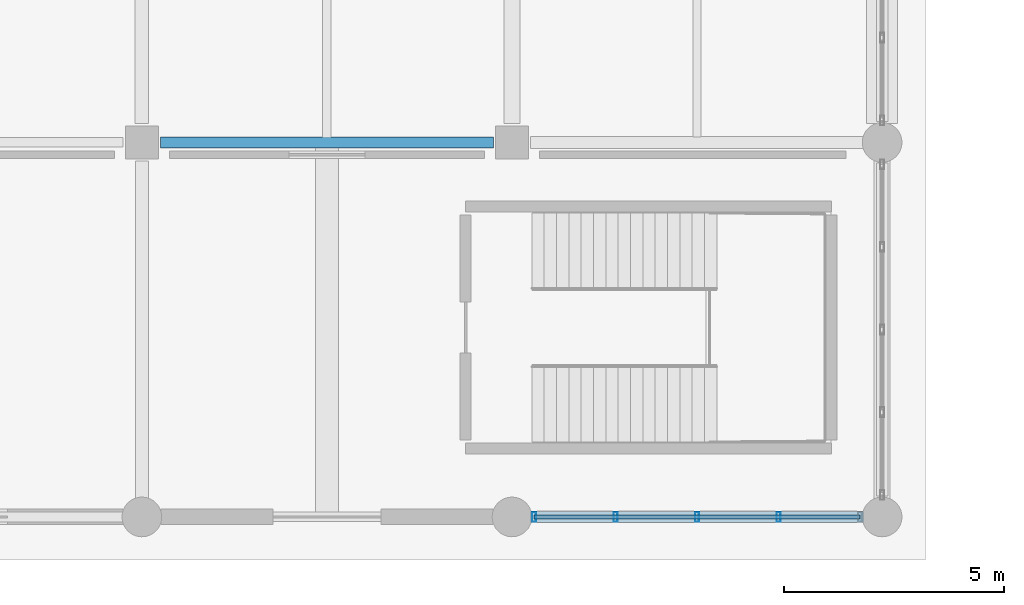
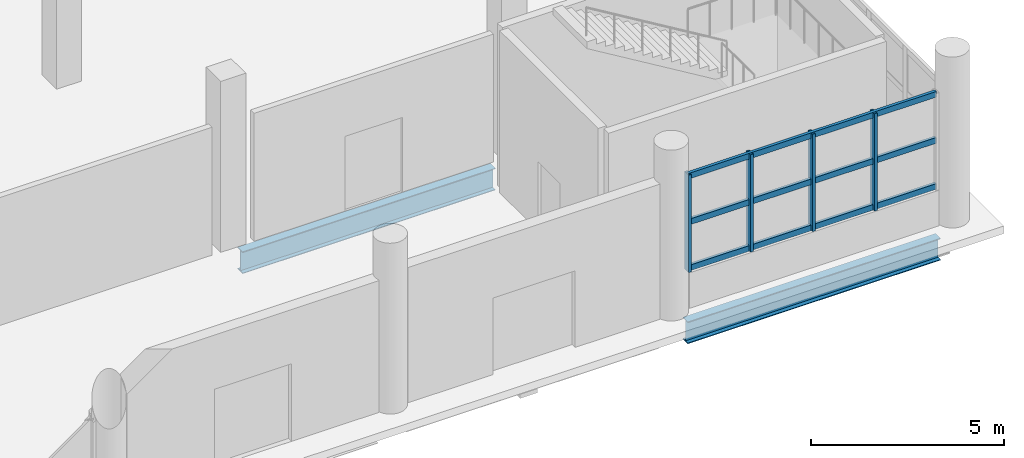
# One storey, part 55 of 107: 7 members, 2 beams, 1 element without a shape of its own.
"""IFC4 building model written with IfcOpenShell, lengths in metres."""

from ifc_helpers import new_model, si_unit, direction, frame, origin, origin_2d, place, context, subcontext, project, spatial, hollow_rectangle, i_section, extrude, material, material_profile, profile_set, type_object, element, aggregate, save


model = new_model("IFC4")

# Units and contexts
model_context = context("Model", 3, precision=1e-05, world=origin(), true_north=direction((0.0, 1.0)))
body_context = subcontext(model_context, "Body", "Model", "MODEL_VIEW")
ifc_project = project(units=[si_unit("LENGTHUNIT", "METRE"), si_unit("AREAUNIT", "SQUARE_METRE"), si_unit("VOLUMEUNIT", "CUBIC_METRE"), si_unit("PLANEANGLEUNIT", "RADIAN"), si_unit("MASSUNIT", "GRAM", prefix="KILO")], contexts=[model_context])

# Site, building, storey
site_placement = place(None, origin())
site = spatial("IfcSite", under=ifc_project, at=site_placement, CompositionType="ELEMENT")
building_placement = place(site_placement, origin())
building = spatial("IfcBuilding", under=site, at=building_placement, Name="Solvento Point Concert Hall", CompositionType="ELEMENT")
storey_placement = place(building_placement, origin())
storey = spatial("IfcBuildingStorey", under=building, at=storey_placement, Name="L00", CompositionType="ELEMENT", Elevation=0.0)

# Beams
ifc_material_1 = material(Name="Structural Steel ASTM A992 Grade 50", Category="steel")
ifc_material_profile_1 = material_profile(ifc_material_1, i_section(OverallWidth=0.256103515625, OverallDepth=0.693115234375, WebThickness=0.014404296875, FlangeThickness=0.023681640625, at=origin_2d()), Name="W27X114")
ifc_profile_set_1 = profile_set([ifc_material_profile_1], Name="Structural Steel ASTM A992 Grade 50")
beam_type = type_object("IfcBeamType", Name="Girder_W27X114", PredefinedType="USERDEFINED", material=ifc_profile_set_1)
for number, where, z_axis, x_axis, name in (
    (1, (200.823974609375, 0.0, -0.760498046875), (1.0, 0.0, 0.0), (0.0, 1.0, 0.0), "Primary girder B-23 L00"),
    (2, (192.424072265625, 8.5, -0.760498046875), (1.0, 0.0, 0.0), (0.0, 1.0, 0.0), "Primary girder B-23 L00"),
):
    element("IfcBeam", number, at=place(storey_placement, frame(where, z_axis=z_axis, x_axis=x_axis)), inside=storey, type_object=beam_type, Name=name, ObjectType="GIRDER", PredefinedType="USERDEFINED", context=body_context, shape_type="SweptSolid", body=[
        extrude(i_section(OverallWidth=0.256103515625, OverallDepth=0.693115234375, WebThickness=0.014404296875, FlangeThickness=0.023681640625, at=origin_2d()), origin(), (0.0, 0.0, 1.0), 7.552001953125),
    ])

# Curtain wall, members
ifc_material_2 = material(Name="Anodized Bronze Aluminium", Category="aluminium")
curtain_wall_type = type_object("IfcCurtainWallType", Name="CurtainWall_CafeVeranda", PredefinedType="USERDEFINED", material=ifc_material_2)
curtain_wall_placement = place(storey_placement, origin())
curtain_wall = element("IfcCurtainWall", 3, at=curtain_wall_placement, inside=storey, type_object=curtain_wall_type, Name="Unitised curtain wall CW-42 UCW-L00-051", ObjectType="UNITISED CURTAIN WALL", PredefinedType="USERDEFINED")
ifc_material_3 = material(Name="Anodized Bronze Aluminium", Category="aluminium")
ifc_material_profile_2 = material_profile(ifc_material_3, hollow_rectangle(XDim=0.090087890625, YDim=0.219970703125, WallThickness=0.00439453125, at=origin_2d()), Name="CW-MUL-90X220")
ifc_profile_set_2 = profile_set([ifc_material_profile_2], Name="Anodized Bronze Aluminium")
member_type_1 = type_object("IfcMemberType", Name="Mullion_90x220", PredefinedType="MULLION", material=ifc_profile_set_2)
member_1_placement = place(storey_placement, frame((200.89990234375, 0.0, 1.1201171875), z_axis=(0.0, 0.0, 1.0), x_axis=(1.0, 0.0, 0.0)))
member_1 = element("IfcMember", 4, at=member_1_placement, type_object=member_type_1, Name="Curtain wall mullion ML-02", PredefinedType="MULLION", context=body_context, shape_type="SweptSolid", body=[
    extrude(hollow_rectangle(XDim=0.090087890625, YDim=0.219970703125, WallThickness=0.00439453125, at=origin_2d()), origin(), (0.0, 0.0, 1.0), 3.073974609375),
])
member_2_placement = place(storey_placement, frame((202.75, 0.0, 1.1201171875), z_axis=(0.0, 0.0, 1.0), x_axis=(1.0, 0.0, 0.0)))
member_2 = element("IfcMember", 5, at=member_2_placement, type_object=member_type_1, Name="Curtain wall mullion ML-02", PredefinedType="MULLION", context=body_context, shape_type="SweptSolid", body=[
    extrude(hollow_rectangle(XDim=0.090087890625, YDim=0.219970703125, WallThickness=0.00439453125, at=origin_2d()), origin(), (0.0, 0.0, 1.0), 3.073974609375),
])
member_3_placement = place(storey_placement, frame((204.60009765625, 0.0, 1.1201171875), z_axis=(0.0, 0.0, 1.0), x_axis=(1.0, 0.0, 0.0)))
member_3 = element("IfcMember", 6, at=member_3_placement, type_object=member_type_1, Name="Curtain wall mullion ML-02", PredefinedType="MULLION", context=body_context, shape_type="SweptSolid", body=[
    extrude(hollow_rectangle(XDim=0.090087890625, YDim=0.219970703125, WallThickness=0.00439453125, at=origin_2d()), origin(), (0.0, 0.0, 1.0), 3.073974609375),
])
member_4_placement = place(storey_placement, frame((206.449951171875, 0.0, 1.1201171875), z_axis=(0.0, 0.0, 1.0), x_axis=(1.0, 0.0, 0.0)))
member_4 = element("IfcMember", 7, at=member_4_placement, type_object=member_type_1, Name="Curtain wall mullion ML-02", PredefinedType="MULLION", context=body_context, shape_type="SweptSolid", body=[
    extrude(hollow_rectangle(XDim=0.090087890625, YDim=0.219970703125, WallThickness=0.00439453125, at=origin_2d()), origin(), (0.0, 0.0, 1.0), 3.073974609375),
])
ifc_material_4 = material(Name="Anodized Bronze Aluminium", Category="aluminium")
ifc_material_profile_3 = material_profile(ifc_material_4, hollow_rectangle(XDim=0.090087890625, YDim=0.179931640625, WallThickness=0.00439453125, at=origin_2d()), Name="CW-TRN-90X180")
ifc_profile_set_3 = profile_set([ifc_material_profile_3], Name="Anodized Bronze Aluminium")
member_type_2 = type_object("IfcMemberType", Name="Transom_90x180", PredefinedType="USERDEFINED", material=ifc_profile_set_3)
member_5_placement = place(storey_placement, frame((200.89990234375, 0.0, 1.199951171875), z_axis=(1.0, 0.0, 0.0), x_axis=(0.0, 1.0, 0.0)))
member_5 = element("IfcMember", 8, at=member_5_placement, type_object=member_type_2, Name="Curtain wall transom TR-02", ObjectType="TRANSOM", PredefinedType="USERDEFINED", context=body_context, shape_type="SweptSolid", body=[
    extrude(hollow_rectangle(XDim=0.090087890625, YDim=0.179931640625, WallThickness=0.00439453125, at=origin_2d()), origin(), (0.0, 0.0, 1.0), 7.400146484375),
])
member_6_placement = place(storey_placement, frame((200.89990234375, 0.0, 2.656982421875), z_axis=(1.0, 0.0, 0.0), x_axis=(0.0, 1.0, 0.0)))
member_6 = element("IfcMember", 9, at=member_6_placement, type_object=member_type_2, Name="Curtain wall transom TR-02", ObjectType="TRANSOM", PredefinedType="USERDEFINED", context=body_context, shape_type="SweptSolid", body=[
    extrude(hollow_rectangle(XDim=0.090087890625, YDim=0.179931640625, WallThickness=0.00439453125, at=origin_2d()), origin(), (0.0, 0.0, 1.0), 7.400146484375),
])
member_7_placement = place(storey_placement, frame((200.89990234375, 0.0, 4.114013671875), z_axis=(1.0, 0.0, 0.0), x_axis=(0.0, 1.0, 0.0)))
member_7 = element("IfcMember", 10, at=member_7_placement, type_object=member_type_2, Name="Curtain wall transom TR-02", ObjectType="TRANSOM", PredefinedType="USERDEFINED", context=body_context, shape_type="SweptSolid", body=[
    extrude(hollow_rectangle(XDim=0.090087890625, YDim=0.179931640625, WallThickness=0.00439453125, at=origin_2d()), origin(), (0.0, 0.0, 1.0), 7.400146484375),
])
aggregate(curtain_wall, [member_1, member_2, member_3, member_4, member_5, member_6, member_7])

save(model, "model.ifc")
